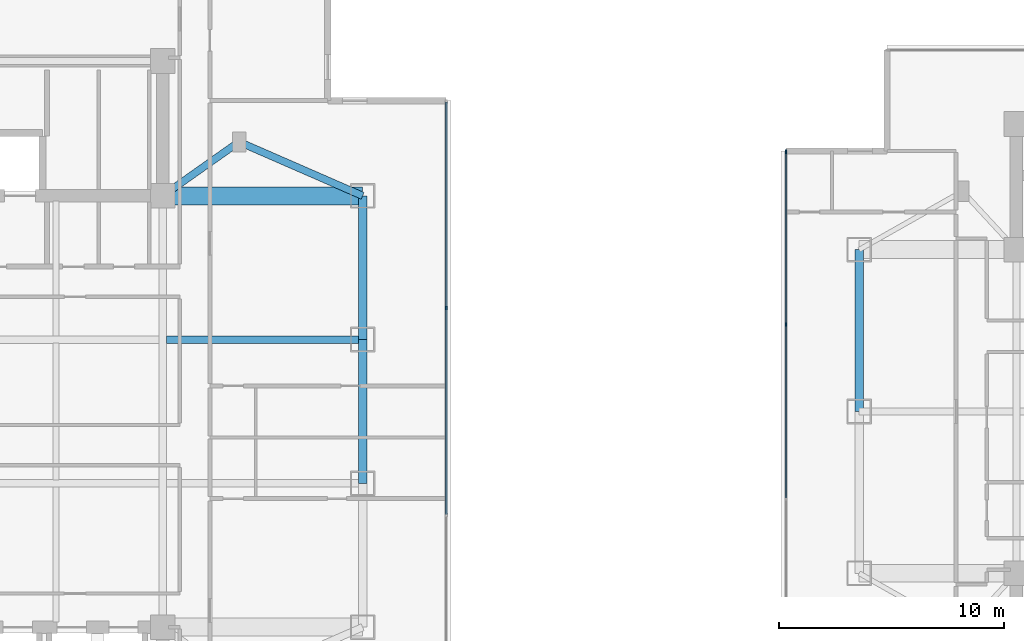
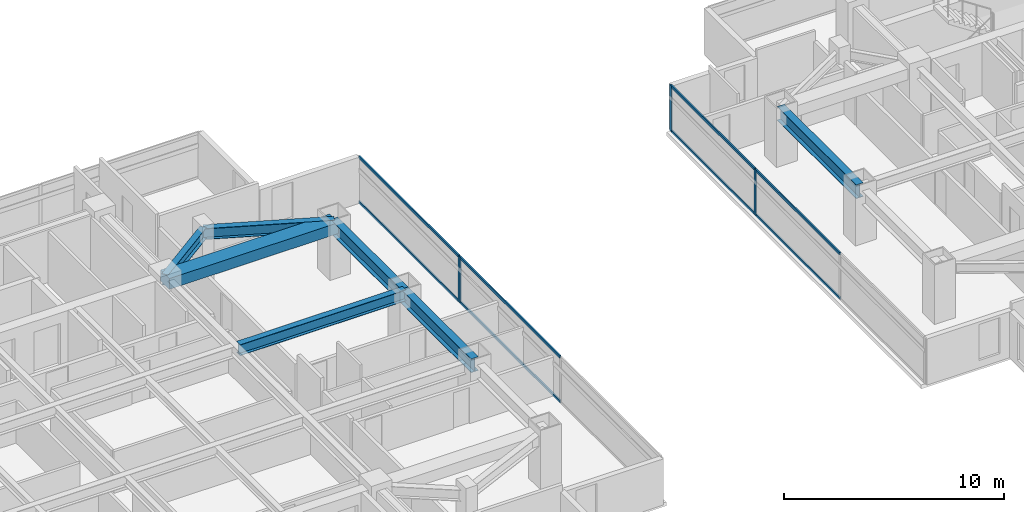
# One storey, part 6 of 24: 11 members, 7 beams, 2 elements without a shape of their own.
"""IFC4 building model written with IfcOpenShell, lengths in metres."""

from ifc_helpers import new_model, si_unit, direction, frame, origin, origin_2d, place, context, subcontext, project, spatial, rectangle, i_section, extrude, material, material_profile, profile_set, type_object, element, aggregate, save


model = new_model("IFC4")

# Units and contexts
model_context = context("Model", 3, precision=1e-05, world=origin(), true_north=direction((0.0, 1.0)))
body_context = subcontext(model_context, "Body", "Model", "MODEL_VIEW")
ifc_project = project(units=[si_unit("LENGTHUNIT", "METRE"), si_unit("AREAUNIT", "SQUARE_METRE"), si_unit("VOLUMEUNIT", "CUBIC_METRE"), si_unit("PLANEANGLEUNIT", "RADIAN"), si_unit("MASSUNIT", "GRAM", prefix="KILO")], contexts=[model_context])

# Site, building, storey
site_placement = place(None, origin())
site = spatial("IfcSite", under=ifc_project, at=site_placement, CompositionType="ELEMENT")
building_placement = place(site_placement, origin())
building = spatial("IfcBuilding", under=site, at=building_placement, Name="Mirazonda Arch Towers", CompositionType="ELEMENT")
storey_placement = place(building_placement, frame((0.0, 0.0, 144.5)))
storey = spatial("IfcBuildingStorey", under=building, at=storey_placement, Name="L41", CompositionType="ELEMENT", Elevation=144.5)

# Beams
ifc_material_1 = material(Name="Steel ASTM A992 Grade 50", Category="steel")
ifc_material_profile_1 = material_profile(ifc_material_1, i_section(OverallWidth=0.381103515625, OverallDepth=0.77294921875, WebThickness=0.0166015625, FlangeThickness=0.027099609375, at=origin_2d()), Name="W30X173")
ifc_profile_set_1 = profile_set([ifc_material_profile_1], Name="Steel ASTM A992 Grade 50")
beam_type_1 = type_object("IfcBeamType", Name="BM-EXT-W30X173", PredefinedType="USERDEFINED", material=ifc_profile_set_1)
beam_1_placement = place(storey_placement, frame((38.89990234375, 24.800048828125, 2.553466796875), z_axis=(0.0, 1.0, 0.0), x_axis=(-1.0, 0.0, 0.0)))
element("IfcBeam", 1, at=beam_1_placement, inside=storey, type_object=beam_type_1, Name="L41 Floor Beam BMT-T1-L41-NS-E-24", ObjectType="GIRDER", PredefinedType="USERDEFINED", context=body_context, shape_type="SweptSolid", body=[
    extrude(i_section(OverallWidth=0.381103515625, OverallDepth=0.77294921875, WebThickness=0.0166015625, FlangeThickness=0.027099609375, at=origin_2d()), origin(), (0.0, 0.0, 1.0), 6.39990234375),
])
beam_2_placement = place(storey_placement, frame((38.89990234375, 31.199951171875, 2.553466796875), z_axis=(0.0, 1.0, 0.0), x_axis=(-1.0, 0.0, 0.0)))
element("IfcBeam", 2, at=beam_2_placement, inside=storey, type_object=beam_type_1, Name="L41 Floor Beam BMT-T1-L41-NS-E-31", ObjectType="GIRDER", PredefinedType="USERDEFINED", context=body_context, shape_type="SweptSolid", body=[
    extrude(i_section(OverallWidth=0.381103515625, OverallDepth=0.77294921875, WebThickness=0.0166015625, FlangeThickness=0.027099609375, at=origin_2d()), origin(), (0.0, 0.0, 1.0), 6.400146484375),
])
beam_3_placement = place(storey_placement, frame((61.0, 28.0, 2.553466796875), z_axis=(0.0, 1.0, 0.0), x_axis=(-1.0, 0.0, 0.0)))
element("IfcBeam", 3, at=beam_3_placement, inside=storey, type_object=beam_type_1, Name="L41 Floor Beam BMT-T2-L41-NS-W-28", ObjectType="GIRDER", PredefinedType="USERDEFINED", context=body_context, shape_type="SweptSolid", body=[
    extrude(i_section(OverallWidth=0.381103515625, OverallDepth=0.77294921875, WebThickness=0.0166015625, FlangeThickness=0.027099609375, at=origin_2d()), origin(), (0.0, 0.0, 1.0), 7.199951171875),
])
ifc_material_profile_2 = material_profile(ifc_material_1, i_section(OverallWidth=0.324951171875, OverallDepth=0.615966796875, WebThickness=0.013916015625, FlangeThickness=0.021484375, at=origin_2d()), Name="W24X117")
ifc_profile_set_2 = profile_set([ifc_material_profile_2], Name="Steel ASTM A992 Grade 50")
beam_type_2 = type_object("IfcBeamType", Name="BM-INT-W24X117", PredefinedType="BEAM", material=ifc_profile_set_2)
beam_4_placement = place(storey_placement, frame((30.16259765625, 31.199951171875, 2.632080078125), z_axis=(1.0, 0.0, 0.0), x_axis=(0.0, 1.0, 0.0)))
element("IfcBeam", 4, at=beam_4_placement, inside=storey, type_object=beam_type_2, Name="L41 Floor Beam BMT-T1-L41-GE3", PredefinedType="BEAM", context=body_context, shape_type="SweptSolid", body=[
    extrude(i_section(OverallWidth=0.324951171875, OverallDepth=0.615966796875, WebThickness=0.013916015625, FlangeThickness=0.021484375, at=origin_2d()), origin(), (0.0, 0.0, 1.0), 8.7373046875),
])
beam_5_placement = place(storey_placement, frame((33.39990234375, 40.0, 2.632080078125), z_axis=(-0.816971114901, -0.576678591087, 0.0), x_axis=(0.576678591087, -0.816971114901, 0.0)))
element("IfcBeam", 5, at=beam_5_placement, inside=storey, type_object=beam_type_2, Name="L41 Floor Beam BMT-T1-L41-PL-NE1", PredefinedType="BEAM", context=body_context, shape_type="SweptSolid", body=[
    extrude(i_section(OverallWidth=0.324951171875, OverallDepth=0.615966796875, WebThickness=0.013916015625, FlangeThickness=0.021484375, at=origin_2d()), origin(), (0.0, 0.0, 1.0), 4.16162109375),
])
beam_6_placement = place(storey_placement, frame((33.39990234375, 40.0, 2.632080078125), z_axis=(0.916545343703, -0.399930785183, 0.0), x_axis=(0.399930785183, 0.916545343703, 0.0)))
element("IfcBeam", 6, at=beam_6_placement, inside=storey, type_object=beam_type_2, Name="L41 Floor Beam BMT-T1-L41-PL-NE2", PredefinedType="BEAM", context=body_context, shape_type="SweptSolid", body=[
    extrude(i_section(OverallWidth=0.324951171875, OverallDepth=0.615966796875, WebThickness=0.013916015625, FlangeThickness=0.021484375, at=origin_2d()), origin(), (0.0, 0.0, 1.0), 6.000732421875),
])
ifc_material_2 = material(Name="Concrete C60/75", Category="concrete")
ifc_material_profile_3 = material_profile(ifc_material_2, rectangle(XDim=0.800048828125, YDim=0.60009765625, at=origin_2d()), Name="RCCB800x600")
ifc_profile_set_3 = profile_set([ifc_material_profile_3], Name="Concrete C60/75")
beam_type_3 = type_object("IfcBeamType", Name="CB-INT-RCCB800x600", PredefinedType="SPANDREL", material=ifc_profile_set_3)
beam_7_placement = place(storey_placement, frame((30.0, 37.60009765625, 2.639892578125), z_axis=(1.0, 0.0, 0.0), x_axis=(0.0, 1.0, 0.0)))
element("IfcBeam", 7, at=beam_7_placement, inside=storey, type_object=beam_type_3, Name="L41 Floor Beam CBC-T1-L41-NE", PredefinedType="SPANDREL", context=body_context, shape_type="SweptSolid", body=[
    extrude(rectangle(XDim=0.800048828125, YDim=0.60009765625, at=origin_2d()), origin(), (0.0, 0.0, 1.0), 8.89990234375),
])

# Curtain wall, member
ifc_material_3 = material(Name="Anodised Aluminium and Low-E Glass", Category="aluminium")
curtain_wall_type = type_object("IfcCurtainWallType", Name="CW-HTL-UNIT", PredefinedType="NOTDEFINED", material=ifc_material_3)
curtain_wall_1_placement = place(storey_placement, origin())
curtain_wall_1 = element("IfcCurtainWall", 8, at=curtain_wall_1_placement, inside=storey, type_object=curtain_wall_type, Name="L41 T1 E Facade CW-L41-T1-E", PredefinedType="NOTDEFINED")
ifc_material_4 = material(Name="Anodised Aluminium Alloy", Category="aluminium")
ifc_material_profile_4 = material_profile(ifc_material_4, rectangle(XDim=0.074951171875, YDim=0.1650390625, at=origin_2d()), Name="ALU-MULL-75x165")
ifc_profile_set_4 = profile_set([ifc_material_profile_4], Name="Anodised Aluminium Alloy")
member_type_1 = type_object("IfcMemberType", Name="MULL-CW-HTL-UNIT", PredefinedType="MULLION", material=ifc_profile_set_4)
member_1_placement = place(storey_placement, frame((42.6201171875, 32.611328125, 0.0), z_axis=(0.0, 0.0, 1.0), x_axis=(-1.0, 0.0, 0.0)))
member_1 = element("IfcMember", 9, at=member_1_placement, type_object=member_type_1, Name="CW-112 mullion 3", PredefinedType="MULLION", context=body_context, shape_type="SweptSolid", body=[
    extrude(rectangle(XDim=0.074951171875, YDim=0.1650390625, at=origin_2d()), origin(), (0.0, 0.0, 1.0), 2.56005859375),
])

# Curtain wall, members
curtain_wall_2_placement = place(storey_placement, origin())
curtain_wall_2 = element("IfcCurtainWall", 10, at=curtain_wall_2_placement, inside=storey, type_object=curtain_wall_type, Name="L41 T2 W Facade CW-L41-T2-W", PredefinedType="NOTDEFINED")
member_2_placement = place(storey_placement, frame((57.7509765625, 39.561279296875, 0.0), z_axis=(0.0, 0.0, 1.0), x_axis=(1.0, 0.0, 0.0)))
member_2 = element("IfcMember", 11, at=member_2_placement, type_object=member_type_1, Name="CW-112 mullion 1", PredefinedType="MULLION", context=body_context, shape_type="SweptSolid", body=[
    extrude(rectangle(XDim=0.074951171875, YDim=0.1650390625, at=origin_2d()), origin(), (0.0, 0.0, 1.0), 2.56005859375),
])
member_3_placement = place(storey_placement, frame((57.7509765625, 31.8662109375, 0.0), z_axis=(0.0, 0.0, 1.0), x_axis=(1.0, 0.0, 0.0)))
member_3 = element("IfcMember", 12, at=member_3_placement, type_object=member_type_1, Name="CW-112 mullion 2", PredefinedType="MULLION", context=body_context, shape_type="SweptSolid", body=[
    extrude(rectangle(XDim=0.074951171875, YDim=0.1650390625, at=origin_2d()), origin(), (0.0, 0.0, 1.0), 2.56005859375),
])

# Member
ifc_material_profile_5 = material_profile(ifc_material_4, rectangle(XDim=0.074951171875, YDim=0.14501953125, at=origin_2d()), Name="ALU-TRAN-75x145")
ifc_profile_set_5 = profile_set([ifc_material_profile_5], Name="Anodised Aluminium Alloy")
member_type_2 = type_object("IfcMemberType", Name="TRAN-CW-HTL-UNIT", PredefinedType="USERDEFINED", material=ifc_profile_set_5)
member_4_placement = place(storey_placement, frame((42.6201171875, 23.42626953125, 0.03759765625), z_axis=(0.0, 1.0, 0.0), x_axis=(-1.0, 0.0, 0.0)))
member_4 = element("IfcMember", 13, at=member_4_placement, type_object=member_type_2, Name="CW-112 transom 2.1", ObjectType="TRANSOM", PredefinedType="USERDEFINED", context=body_context, shape_type="SweptSolid", body=[
    extrude(rectangle(XDim=0.074951171875, YDim=0.14501953125, at=origin_2d()), origin(), (0.0, 0.0, 1.0), 9.1474609375),
])

member_5_placement = place(storey_placement, frame((42.6201171875, 23.42626953125, 2.5224609375), z_axis=(0.0, 1.0, 0.0), x_axis=(-1.0, 0.0, 0.0)))
member_5 = element("IfcMember", 14, at=member_5_placement, type_object=member_type_2, Name="CW-112 transom 2.2", ObjectType="TRANSOM", PredefinedType="USERDEFINED", context=body_context, shape_type="SweptSolid", body=[
    extrude(rectangle(XDim=0.074951171875, YDim=0.14501953125, at=origin_2d()), origin(), (0.0, 0.0, 1.0), 9.1474609375),
])

member_6_placement = place(storey_placement, frame((42.6201171875, 32.64892578125, 0.03759765625), z_axis=(0.0, 1.0, 0.0), x_axis=(-1.0, 0.0, 0.0)))
member_6 = element("IfcMember", 15, at=member_6_placement, type_object=member_type_2, Name="CW-112 transom 3.1", ObjectType="TRANSOM", PredefinedType="USERDEFINED", context=body_context, shape_type="SweptSolid", body=[
    extrude(rectangle(XDim=0.074951171875, YDim=0.14501953125, at=origin_2d()), origin(), (0.0, 0.0, 1.0), 9.110107421875),
])

member_7_placement = place(storey_placement, frame((42.6201171875, 32.64892578125, 2.5224609375), z_axis=(0.0, 1.0, 0.0), x_axis=(-1.0, 0.0, 0.0)))
member_7 = element("IfcMember", 16, at=member_7_placement, type_object=member_type_2, Name="CW-112 transom 3.2", ObjectType="TRANSOM", PredefinedType="USERDEFINED", context=body_context, shape_type="SweptSolid", body=[
    extrude(rectangle(XDim=0.074951171875, YDim=0.14501953125, at=origin_2d()), origin(), (0.0, 0.0, 1.0), 9.110107421875),
])

aggregate(curtain_wall_1, [member_1, member_4, member_5, member_6, member_7])

member_8_placement = place(storey_placement, frame((57.7509765625, 39.52392578125, 0.03759765625), z_axis=(0.0, -1.0, 0.0), x_axis=(1.0, 0.0, 0.0)))
member_8 = element("IfcMember", 17, at=member_8_placement, type_object=member_type_2, Name="CW-112 transom 1.1", ObjectType="TRANSOM", PredefinedType="USERDEFINED", context=body_context, shape_type="SweptSolid", body=[
    extrude(rectangle(XDim=0.074951171875, YDim=0.14501953125, at=origin_2d()), origin(), (0.0, 0.0, 1.0), 7.6201171875),
])

member_9_placement = place(storey_placement, frame((57.7509765625, 39.52392578125, 2.5224609375), z_axis=(0.0, -1.0, 0.0), x_axis=(1.0, 0.0, 0.0)))
member_9 = element("IfcMember", 18, at=member_9_placement, type_object=member_type_2, Name="CW-112 transom 1.2", ObjectType="TRANSOM", PredefinedType="USERDEFINED", context=body_context, shape_type="SweptSolid", body=[
    extrude(rectangle(XDim=0.074951171875, YDim=0.14501953125, at=origin_2d()), origin(), (0.0, 0.0, 1.0), 7.6201171875),
])

member_10_placement = place(storey_placement, frame((57.7509765625, 31.828857421875, 0.03759765625), z_axis=(0.0, -1.0, 0.0), x_axis=(1.0, 0.0, 0.0)))
member_10 = element("IfcMember", 19, at=member_10_placement, type_object=member_type_2, Name="CW-112 transom 2.1", ObjectType="TRANSOM", PredefinedType="USERDEFINED", context=body_context, shape_type="SweptSolid", body=[
    extrude(rectangle(XDim=0.074951171875, YDim=0.14501953125, at=origin_2d()), origin(), (0.0, 0.0, 1.0), 7.65771484375),
])

member_11_placement = place(storey_placement, frame((57.7509765625, 31.828857421875, 2.5224609375), z_axis=(0.0, -1.0, 0.0), x_axis=(1.0, 0.0, 0.0)))
member_11 = element("IfcMember", 20, at=member_11_placement, type_object=member_type_2, Name="CW-112 transom 2.2", ObjectType="TRANSOM", PredefinedType="USERDEFINED", context=body_context, shape_type="SweptSolid", body=[
    extrude(rectangle(XDim=0.074951171875, YDim=0.14501953125, at=origin_2d()), origin(), (0.0, 0.0, 1.0), 7.65771484375),
])

aggregate(curtain_wall_2, [member_2, member_3, member_8, member_9, member_10, member_11])

save(model, "model.ifc")
